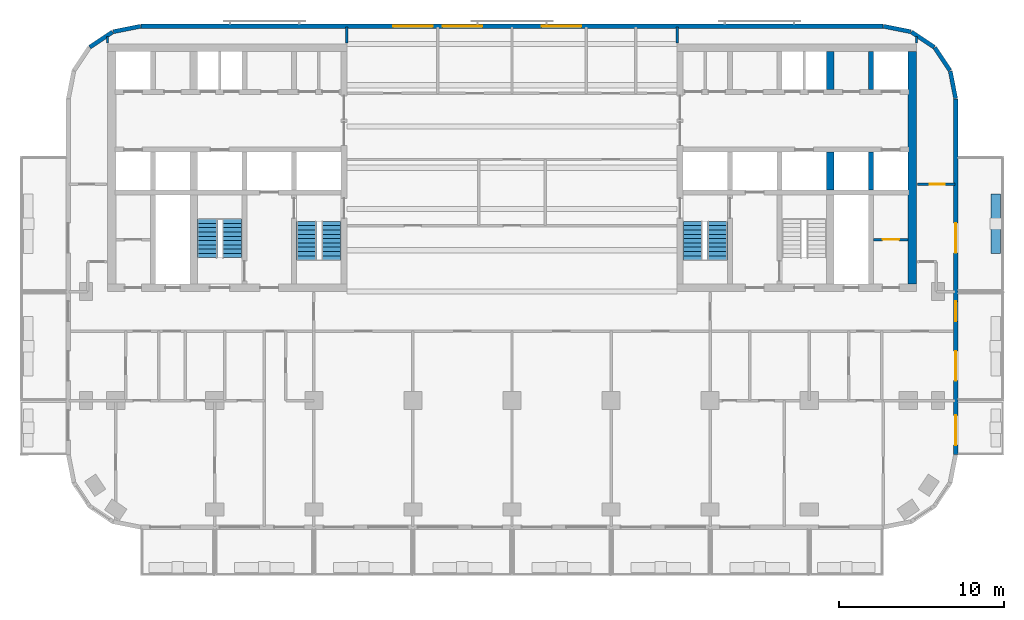
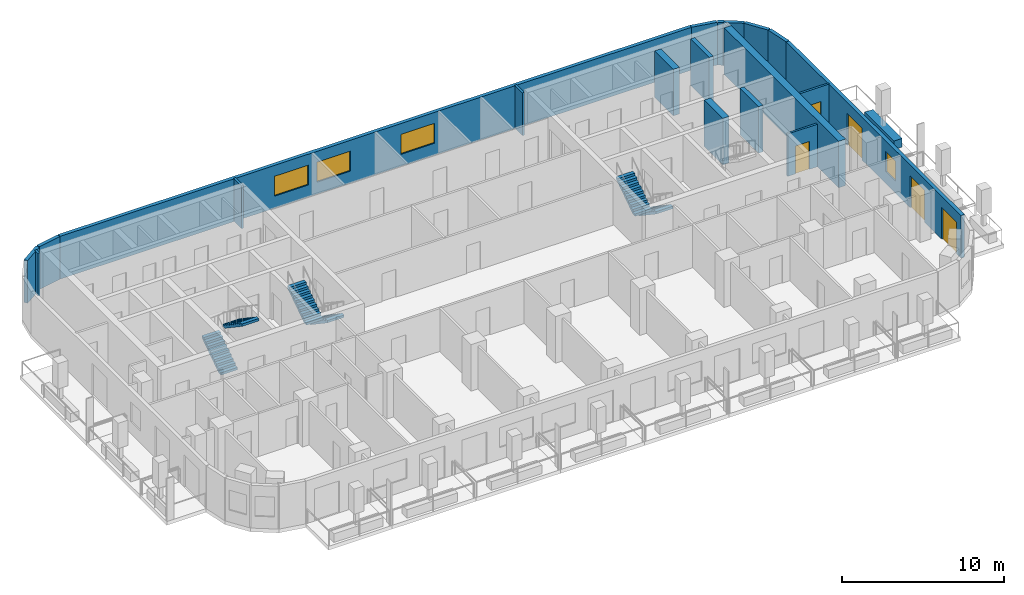
# One storey, part 7 of 11: 20 walls, 6 stair flights, 5 doors, 4 windows, 9 openings, 3 elements without a shape of their own.
"""IFC4 building model written with IfcOpenShell, lengths in metres."""

from ifc_helpers import new_model, si_unit, direction, frame, frame_2d, origin, place, context, subcontext, project, spatial, polyline, rectangle, outline, extrude, material, layer, layer_set, type_object, element, fill, aggregate, save


model = new_model("IFC4")

# Units and contexts
model_context = context("Model", 3, precision=1e-05, world=origin(), true_north=direction((0.0, 1.0)))
body_context = subcontext(model_context, "Body", "Model", "MODEL_VIEW")
ifc_project = project(units=[si_unit("LENGTHUNIT", "METRE"), si_unit("AREAUNIT", "SQUARE_METRE"), si_unit("VOLUMEUNIT", "CUBIC_METRE"), si_unit("PLANEANGLEUNIT", "RADIAN"), si_unit("MASSUNIT", "GRAM", prefix="KILO")], contexts=[model_context])

# Site, building, storey
site_placement = place(None, origin())
site = spatial("IfcSite", under=ifc_project, at=site_placement, CompositionType="ELEMENT")
building_placement = place(site_placement, origin())
building = spatial("IfcBuilding", under=site, at=building_placement, Name="Torana Hotel and Residences", CompositionType="ELEMENT")
storey_placement = place(building_placement, frame((0.0, 0.0, 239.60009765625)))
storey = spatial("IfcBuildingStorey", under=building, at=storey_placement, Name="L63", CompositionType="ELEMENT", Elevation=239.60009765625)

# Walls
ifc_material_1 = material(Name="Concrete C70/85", Category="concrete")
ifc_layer_1 = layer(ifc_material_1, 0.300048828125)
ifc_layer_set_1 = layer_set([ifc_layer_1], Name="CORE WALL 300 C70/85")
wall_type_1 = type_object("IfcWallType", Name="CORE WALL 300 C70/85", PredefinedType="SHEAR", material=ifc_layer_set_1)
for number, where, z_axis, x_axis, name in (
    (1, (21.75, -2.75, 0.0), (0.0, 0.0, 1.0), (0.0, 1.0, 0.0), "Core wall E mm-N"),
    (2, (21.75, -8.85009765625, 0.0), (0.0, 0.0, 1.0), (0.0, 1.0, 0.0), "Core wall E mm-S"),
):
    element("IfcWall", number, at=place(storey_placement, frame(where, z_axis=z_axis, x_axis=x_axis)), inside=storey, type_object=wall_type_1, Name=name, PredefinedType="SHEAR", context=body_context, shape_type="SweptSolid", body=[
        extrude(rectangle(XDim=2.300048828125, YDim=0.300048828125, at=frame_2d((1.14990234375, 0.0))), origin(), (0.0, 0.0, 1.0), 3.5),
    ])
ifc_material_2 = material(Name="Concrete C70/85", Category="concrete")
ifc_layer_2 = layer(ifc_material_2, 0.449951171875)
ifc_layer_set_2 = layer_set([ifc_layer_2], Name="CORE WALL 450 C70/85")
wall_type_2 = type_object("IfcWallType", Name="CORE WALL 450 C70/85", PredefinedType="SHEAR", material=ifc_layer_set_2)
for number, where, z_axis, x_axis, name in (
    (3, (19.27490234375, -2.75, 0.0), (0.0, 0.0, 1.0), (0.0, 1.0, 0.0), "Core wall E hm-N"),
    (4, (19.27490234375, -8.85009765625, 0.0), (0.0, 0.0, 1.0), (0.0, 1.0, 0.0), "Core wall E hm-S"),
):
    element("IfcWall", number, at=place(storey_placement, frame(where, z_axis=z_axis, x_axis=x_axis)), inside=storey, type_object=wall_type_2, Name=name, PredefinedType="SHEAR", context=body_context, shape_type="SweptSolid", body=[
        extrude(rectangle(XDim=2.300048828125, YDim=0.449951171875, at=frame_2d((1.14990234375, 0.0))), origin(), (0.0, 0.0, 1.0), 3.5),
    ])
ifc_material_3 = material(Name="Concrete C70/85", Category="concrete")
ifc_layer_3 = layer(ifc_material_3, 0.5)
ifc_layer_set_3 = layer_set([ifc_layer_3], Name="CORE WALL 500 C70/85")
wall_type_3 = type_object("IfcWallType", Name="CORE WALL 500 C70/85", PredefinedType="SHEAR", material=ifc_layer_set_3)
wall_1_placement = place(storey_placement, frame((24.25, -14.550048828125, 0.0), z_axis=(0.0, 0.0, 1.0), x_axis=(0.0, 1.0, 0.0)))
element("IfcWall", 5, at=wall_1_placement, inside=storey, type_object=wall_type_3, Name="Core wall E outer", PredefinedType="SHEAR", context=body_context, shape_type="SweptSolid", body=[
    extrude(rectangle(XDim=14.10009765625, YDim=0.5, at=frame_2d((7.050048828125, 0.0))), origin(), (0.0, 0.0, 1.0), 3.5),
])
ifc_material_4 = material(Name="Black aluminium composite panel", Category="aluminium")
ifc_layer_4 = layer(ifc_material_4, 0.00390625, Name="Cladding", Category="cladding")
ifc_material_5 = material(Name="Ventilated air cavity")
ifc_layer_5 = layer(ifc_material_5, 0.0400390625, Name="Ventilated cavity", Category="cavity")
ifc_material_6 = material(Name="Mineral wool insulation")
ifc_layer_6 = layer(ifc_material_6, 0.090087890625, Name="Insulation", Category="insulation")
ifc_material_7 = material(Name="Steel S280GD", Category="steel")
ifc_layer_7 = layer(ifc_material_7, 0.092041015625, Name="Steel stud frame", Category="structure")
ifc_material_8 = material(Name="Fire rated plasterboard")
ifc_layer_8 = layer(ifc_material_8, 0.011962890625, Name="Inner board", Category="finish")
ifc_layer_9 = layer(ifc_material_8, 0.011962890625, Name="Second board", Category="finish")
ifc_layer_set_4 = layer_set([ifc_layer_4, ifc_layer_5, ifc_layer_6, ifc_layer_7, ifc_layer_8, ifc_layer_9], Name="EW1 EXTERNAL WALL BLACK METAL CLAD 250")
wall_type_4 = type_object("IfcWallType", Name="EW1 EXTERNAL WALL BLACK METAL CLAD 250", PredefinedType="SOLIDWALL", material=ifc_layer_set_4)
wall_2_placement = place(storey_placement, frame((26.87255859375, -3.30029296875, 0.0), z_axis=(0.0, 0.0, 1.0), x_axis=(-0.194999110559, 0.980803419081, 0.0)))
element("IfcWall", 6, at=wall_2_placement, inside=storey, type_object=wall_type_4, Name="External wall L63 e0.0", PredefinedType="SOLIDWALL", context=body_context, shape_type="SweptSolid", body=[
    extrude(rectangle(XDim=1.681396484375, YDim=0.25, at=frame_2d((0.8408203125, 0.0))), origin(), (0.0, 0.0, 1.0), 3.219970703125),
])
for number, where, z_axis, x_axis, name in (
    (7, (26.52587890625, -1.60595703125, 0.0), (0.0, 0.0, 1.0), (-0.55555029066, 0.831482937015, 0.0), "External wall L63 e0.1"),
    (8, (25.5712890625, -0.1943359375, 0.0), (0.0, 0.0, 1.0), (-0.831482937015, 0.55555029066, 0.0), "External wall L63 e0.2"),
):
    element("IfcWall", number, at=place(storey_placement, frame(where, z_axis=z_axis, x_axis=x_axis)), inside=storey, type_object=wall_type_4, Name=name, PredefinedType="SOLIDWALL", context=body_context, shape_type="SweptSolid", body=[
        extrude(rectangle(XDim=1.65625, YDim=0.25, at=frame_2d((0.828125, 0.0))), origin(), (0.0, 0.0, 1.0), 3.219970703125),
    ])
for number, where, z_axis, x_axis, name in (
    (9, (24.14892578125, 0.74462890625, 0.0), (0.0, 0.0, 1.0), (-0.980803419081, 0.194999110559, 0.0), "External wall L63 e0.3"),
    (10, (-22.499755859375, 1.072509765625, 0.0), (0.0, 0.0, 1.0), (-0.980803419081, -0.194999110559, 0.0), "External wall L63 e0.5"),
):
    element("IfcWall", number, at=place(storey_placement, frame(where, z_axis=z_axis, x_axis=x_axis)), inside=storey, type_object=wall_type_4, Name=name, PredefinedType="SOLIDWALL", context=body_context, shape_type="SweptSolid", body=[
        extrude(rectangle(XDim=1.681396484375, YDim=0.25, at=frame_2d((0.8408203125, 0.0))), origin(), (0.0, 0.0, 1.0), 3.219970703125),
    ])
wall_3_placement = place(storey_placement, frame((-24.194091796875, 0.725830078125, 0.0), z_axis=(0.0, 0.0, 1.0), x_axis=(-0.831482937015, -0.55555029066, 0.0)))
element("IfcWall", 11, at=wall_3_placement, inside=storey, type_object=wall_type_4, Name="External wall L63 e0.6", PredefinedType="SOLIDWALL", context=body_context, shape_type="SweptSolid", body=[
    extrude(rectangle(XDim=1.65625, YDim=0.25, at=frame_2d((0.828125, 0.0))), origin(), (0.0, 0.0, 1.0), 3.219970703125),
])

# Wall, openings, doors, window
wall_4_placement = place(storey_placement, frame((26.875, -24.87548828125, 0.0), z_axis=(0.0, 0.0, 1.0), x_axis=(0.0, 1.0, 0.0)))
wall_4 = element("IfcWall", 12, at=wall_4_placement, inside=storey, type_object=wall_type_4, Name="External wall L63 e0.19", PredefinedType="SOLIDWALL", context=body_context, shape_type="SweptSolid", body=[
    extrude(rectangle(XDim=21.55078125, YDim=0.25, at=frame_2d((10.775390625, 0.0))), origin(), (0.0, 0.0, 1.0), 3.219970703125),
])
opening_1_placement = place(wall_4_placement, frame((0.575439453125, 0.0, 0.0)))
opening_1 = element("IfcOpeningElement", 13, at=opening_1_placement, cuts=wall_4, Name="Opening L63-E09", PredefinedType="OPENING", context=body_context, shape_type="SweptSolid", body=[
    extrude(rectangle(XDim=1.800048828125, YDim=2.39990234375, at=frame_2d((0.89990234375, 1.199951171875))), frame((0.0, 0.135009765625, 0.0), z_axis=(0.0, -1.0, 0.0), x_axis=(1.0, 0.0, 0.0)), (0.0, 0.0, 1.0), 0.27001953125),
])
opening_2_placement = place(wall_4_placement, frame((4.475341796875, 0.0, 0.0)))
opening_2 = element("IfcOpeningElement", 14, at=opening_2_placement, cuts=wall_4, Name="Opening L63-E10", PredefinedType="OPENING", context=body_context, shape_type="SweptSolid", body=[
    extrude(rectangle(XDim=1.800048828125, YDim=2.39990234375, at=frame_2d((0.89990234375, 1.199951171875))), frame((0.0, 0.135009765625, 0.0), z_axis=(0.0, -1.0, 0.0), x_axis=(1.0, 0.0, 0.0)), (0.0, 0.0, 1.0), 0.27001953125),
])
opening_3_placement = place(wall_4_placement, frame((8.075439453125, 0.0, 0.89990234375)))
opening_3 = element("IfcOpeningElement", 15, at=opening_3_placement, cuts=wall_4, Name="Opening W5", PredefinedType="OPENING", context=body_context, shape_type="SweptSolid", body=[
    extrude(rectangle(XDim=1.199951171875, YDim=1.5, at=frame_2d((0.60009765625, 0.75))), frame((0.0, 0.135009765625, 0.0), z_axis=(0.0, -1.0, 0.0), x_axis=(1.0, 0.0, 0.0)), (0.0, 0.0, 1.0), 0.27001953125),
])
opening_4_placement = place(wall_4_placement, frame((12.225341796875, 0.0, 0.0)))
opening_4 = element("IfcOpeningElement", 16, at=opening_4_placement, cuts=wall_4, Name="Opening L63-E11", PredefinedType="OPENING", context=body_context, shape_type="SweptSolid", body=[
    extrude(rectangle(XDim=1.800048828125, YDim=2.39990234375, at=frame_2d((0.89990234375, 1.199951171875))), frame((0.0, 0.135009765625, 0.0), z_axis=(0.0, -1.0, 0.0), x_axis=(1.0, 0.0, 0.0)), (0.0, 0.0, 1.0), 0.27001953125),
])
ifc_material_9 = material(Name="Dark glass in black aluminium frame", Category="aluminium")
door_type_1 = type_object("IfcDoorType", Name="DB1 BALCONY DOOR 1800x2400", OperationType="DOUBLE_DOOR_SINGLE_SWING", PredefinedType="DOOR", material=ifc_material_9)
door_1_placement = place(opening_1_placement, origin())
door_1 = element("IfcDoor", 17, at=door_1_placement, inside=storey, type_object=door_type_1, Name="Balcony door L63", OperationType="DOUBLE_DOOR_SINGLE_SWING", OverallHeight=2.39990234375, OverallWidth=1.800048828125, PredefinedType="DOOR", context=body_context, shape_type="SweptSolid", body=[
    extrude(rectangle(XDim=1.800048828125, YDim=2.39990234375, at=frame_2d((0.89990234375, 1.199951171875))), frame((0.0, 0.02490234375, 0.0), z_axis=(0.0, -1.0, 0.0), x_axis=(1.0, 0.0, 0.0)), (0.0, 0.0, 1.0), 0.050048828125),
])
fill(opening_1, door_1)
door_2_placement = place(opening_2_placement, origin())
door_2 = element("IfcDoor", 18, at=door_2_placement, inside=storey, type_object=door_type_1, Name="Balcony door L63", OperationType="DOUBLE_DOOR_SINGLE_SWING", OverallHeight=2.39990234375, OverallWidth=1.800048828125, PredefinedType="DOOR", context=body_context, shape_type="SweptSolid", body=[
    extrude(rectangle(XDim=1.800048828125, YDim=2.39990234375, at=frame_2d((0.89990234375, 1.199951171875))), frame((0.0, 0.02490234375, 0.0), z_axis=(0.0, -1.0, 0.0), x_axis=(1.0, 0.0, 0.0)), (0.0, 0.0, 1.0), 0.050048828125),
])
fill(opening_2, door_2)
door_3_placement = place(opening_4_placement, origin())
door_3 = element("IfcDoor", 19, at=door_3_placement, inside=storey, type_object=door_type_1, Name="Balcony door L63", OperationType="DOUBLE_DOOR_SINGLE_SWING", OverallHeight=2.39990234375, OverallWidth=1.800048828125, PredefinedType="DOOR", context=body_context, shape_type="SweptSolid", body=[
    extrude(rectangle(XDim=1.800048828125, YDim=2.39990234375, at=frame_2d((0.89990234375, 1.199951171875))), frame((0.0, 0.02490234375, 0.0), z_axis=(0.0, -1.0, 0.0), x_axis=(1.0, 0.0, 0.0)), (0.0, 0.0, 1.0), 0.050048828125),
])
fill(opening_4, door_3)
ifc_material_10 = material(Name="Dark glass in black aluminium frame", Category="aluminium")
window_type_1 = type_object("IfcWindowType", Name="W5 CORNER FACET WINDOW 1200x1500", PartitioningType="SINGLE_PANEL", PredefinedType="WINDOW", material=ifc_material_10)
window_1_placement = place(opening_3_placement, origin())
window_1 = element("IfcWindow", 20, at=window_1_placement, inside=storey, type_object=window_type_1, Name="Window L63", OverallHeight=1.5, OverallWidth=1.199951171875, PartitioningType="SINGLE_PANEL", PredefinedType="WINDOW", context=body_context, shape_type="SweptSolid", body=[
    extrude(rectangle(XDim=1.199951171875, YDim=1.5, at=frame_2d((0.60009765625, 0.75))), frame((0.0, 0.030029296875, 0.0), z_axis=(0.0, -1.0, 0.0), x_axis=(1.0, 0.0, 0.0)), (0.0, 0.0, 1.0), 0.06005859375),
])
fill(opening_3, window_1)

# Wall, openings, windows
ifc_material_11 = material(Name="Concrete C40/50 precast", Category="concrete")
ifc_layer_10 = layer(ifc_material_11, 0.10009765625, Name="Perforated block", Category="cladding")
ifc_material_12 = material(Name="Air cavity")
ifc_layer_11 = layer(ifc_material_12, 0.030029296875, Name="Cavity", Category="cavity")
ifc_material_13 = material(Name="Concrete C40/50", Category="concrete")
ifc_layer_12 = layer(ifc_material_13, 0.10009765625, Name="Wall", Category="structure")
ifc_material_14 = material(Name="Plaster and paint")
ifc_layer_13 = layer(ifc_material_14, 0.02001953125, Name="Inner finish", Category="finish")
ifc_layer_set_5 = layer_set([ifc_layer_10, ifc_layer_11, ifc_layer_12, ifc_layer_13], Name="EW2 PERFORATED BLOCK SCREEN WALL 250")
wall_type_5 = type_object("IfcWallType", Name="EW2 PERFORATED BLOCK SCREEN WALL 250", PredefinedType="SOLIDWALL", material=ifc_layer_set_5)
wall_5_placement = place(storey_placement, frame((22.475341796875, 1.074951171875, 0.0), z_axis=(0.0, 0.0, 1.0), x_axis=(-1.0, 0.0, 0.0)))
wall_5 = element("IfcWall", 21, at=wall_5_placement, inside=storey, type_object=wall_type_5, Name="External wall L63 e0.4", PredefinedType="SOLIDWALL", context=body_context, shape_type="SweptSolid", body=[
    extrude(rectangle(XDim=44.95068359375, YDim=0.25, at=frame_2d((22.475341796875, 0.0))), origin(), (0.0, 0.0, 1.0), 3.219970703125),
])
opening_5_placement = place(wall_5_placement, frame((18.275390625, 0.0, 0.89990234375)))
opening_5 = element("IfcOpeningElement", 22, at=opening_5_placement, cuts=wall_5, Name="Opening W3", PredefinedType="OPENING", context=body_context, shape_type="SweptSolid", body=[
    extrude(rectangle(XDim=2.39990234375, YDim=1.5, at=frame_2d((1.199951171875, 0.75))), frame((0.0, 0.135009765625, 0.0), z_axis=(0.0, -1.0, 0.0), x_axis=(1.0, 0.0, 0.0)), (0.0, 0.0, 1.0), 0.27001953125),
])
opening_6_placement = place(wall_5_placement, frame((24.275390625, 0.0, 0.89990234375)))
opening_6 = element("IfcOpeningElement", 23, at=opening_6_placement, cuts=wall_5, Name="Opening W3", PredefinedType="OPENING", context=body_context, shape_type="SweptSolid", body=[
    extrude(rectangle(XDim=2.39990234375, YDim=1.5, at=frame_2d((1.199951171875, 0.75))), frame((0.0, 0.135009765625, 0.0), z_axis=(0.0, -1.0, 0.0), x_axis=(1.0, 0.0, 0.0)), (0.0, 0.0, 1.0), 0.27001953125),
])
opening_7_placement = place(wall_5_placement, frame((27.275390625, 0.0, 0.89990234375)))
opening_7 = element("IfcOpeningElement", 24, at=opening_7_placement, cuts=wall_5, Name="Opening W3", PredefinedType="OPENING", context=body_context, shape_type="SweptSolid", body=[
    extrude(rectangle(XDim=2.39990234375, YDim=1.5, at=frame_2d((1.199951171875, 0.75))), frame((0.0, 0.135009765625, 0.0), z_axis=(0.0, -1.0, 0.0), x_axis=(1.0, 0.0, 0.0)), (0.0, 0.0, 1.0), 0.27001953125),
])
ifc_material_15 = material(Name="Dark glass in black aluminium frame", Category="aluminium")
window_type_2 = type_object("IfcWindowType", Name="W3 RESIDENCE WINDOW 2400x1500", PartitioningType="SINGLE_PANEL", PredefinedType="WINDOW", material=ifc_material_15)
window_2_placement = place(opening_5_placement, origin())
window_2 = element("IfcWindow", 25, at=window_2_placement, inside=storey, type_object=window_type_2, Name="Window L63", OverallHeight=1.5, OverallWidth=2.39990234375, PartitioningType="SINGLE_PANEL", PredefinedType="WINDOW", context=body_context, shape_type="SweptSolid", body=[
    extrude(rectangle(XDim=2.39990234375, YDim=1.5, at=frame_2d((1.199951171875, 0.75))), frame((0.0, 0.030029296875, 0.0), z_axis=(0.0, -1.0, 0.0), x_axis=(1.0, 0.0, 0.0)), (0.0, 0.0, 1.0), 0.06005859375),
])
fill(opening_5, window_2)
window_3_placement = place(opening_6_placement, origin())
window_3 = element("IfcWindow", 26, at=window_3_placement, inside=storey, type_object=window_type_2, Name="Window L63", OverallHeight=1.5, OverallWidth=2.39990234375, PartitioningType="SINGLE_PANEL", PredefinedType="WINDOW", context=body_context, shape_type="SweptSolid", body=[
    extrude(rectangle(XDim=2.39990234375, YDim=1.5, at=frame_2d((1.199951171875, 0.75))), frame((0.0, 0.030029296875, 0.0), z_axis=(0.0, -1.0, 0.0), x_axis=(1.0, 0.0, 0.0)), (0.0, 0.0, 1.0), 0.06005859375),
])
fill(opening_6, window_3)
window_4_placement = place(opening_7_placement, origin())
window_4 = element("IfcWindow", 27, at=window_4_placement, inside=storey, type_object=window_type_2, Name="Window L63", OverallHeight=1.5, OverallWidth=2.39990234375, PartitioningType="SINGLE_PANEL", PredefinedType="WINDOW", context=body_context, shape_type="SweptSolid", body=[
    extrude(rectangle(XDim=2.39990234375, YDim=1.5, at=frame_2d((1.199951171875, 0.75))), frame((0.0, 0.030029296875, 0.0), z_axis=(0.0, -1.0, 0.0), x_axis=(1.0, 0.0, 0.0)), (0.0, 0.0, 1.0), 0.06005859375),
])
fill(opening_7, window_4)

# Wall, opening, door
ifc_material_16 = material(Name="Gypsum plaster")
ifc_layer_14 = layer(ifc_material_16, 0.014892578125, Name="Plaster", Category="finish")
ifc_material_17 = material(Name="Concrete blockwork", Category="masonry")
ifc_layer_15 = layer(ifc_material_17, 0.1201171875, Name="Blockwork", Category="structure")
ifc_layer_16 = layer(ifc_material_16, 0.014892578125, Name="Plaster", Category="finish")
ifc_layer_set_6 = layer_set([ifc_layer_14, ifc_layer_15, ifc_layer_16], Name="FIRE PARTITION 150 BLOCKWORK")
wall_type_6 = type_object("IfcWallType", Name="FIRE PARTITION 150 BLOCKWORK", PredefinedType="PARTITIONING", material=ifc_layer_set_6)
wall_6_placement = place(storey_placement, frame((21.89990234375, -11.85009765625, 0.0), z_axis=(0.0, 0.0, 1.0), x_axis=(1.0, 0.0, 0.0)))
wall_6 = element("IfcWall", 28, at=wall_6_placement, inside=storey, type_object=wall_type_6, Name="Core partition L63", PredefinedType="PARTITIONING", context=body_context, shape_type="SweptSolid", body=[
    extrude(rectangle(XDim=2.10009765625, YDim=0.14990234375, at=frame_2d((1.050048828125, 0.0))), origin(), (0.0, 0.0, 1.0), 3.199951171875),
])
opening_8_placement = place(wall_6_placement, frame((0.550048828125, 0.0, 0.0)))
opening_8 = element("IfcOpeningElement", 29, at=opening_8_placement, cuts=wall_6, Name="Opening L63-32", PredefinedType="OPENING", context=body_context, shape_type="SweptSolid", body=[
    extrude(rectangle(XDim=1.0, YDim=2.10009765625, at=frame_2d((0.5, 1.050048828125))), frame((0.0, 0.0849609375, 0.0), z_axis=(0.0, -1.0, 0.0), x_axis=(1.0, 0.0, 0.0)), (0.0, 0.0, 1.0), 0.169921875),
])
ifc_material_18 = material(Name="Steel S235", Category="steel")
door_type_2 = type_object("IfcDoorType", Name="CORE ROOM FIRE DOOR D14 1000x2100", OperationType="SINGLE_SWING_LEFT", PredefinedType="DOOR", material=ifc_material_18)
door_4_placement = place(opening_8_placement, origin())
door_4 = element("IfcDoor", 30, at=door_4_placement, inside=storey, type_object=door_type_2, Name="Plant room door L63", OperationType="SINGLE_SWING_RIGHT", OverallHeight=2.10009765625, OverallWidth=1.0, PredefinedType="DOOR", context=body_context, shape_type="SweptSolid", body=[
    extrude(rectangle(XDim=1.0, YDim=2.10009765625, at=frame_2d((0.5, 1.050048828125))), frame((0.0, 0.02490234375, 0.0), z_axis=(0.0, -1.0, 0.0), x_axis=(1.0, 0.0, 0.0)), (0.0, 0.0, 1.0), 0.050048828125),
])
fill(opening_8, door_4)

# Walls
ifc_material_19 = material(Name="Gypsum plasterboard")
ifc_layer_17 = layer(ifc_material_19, 0.012451171875, Name="Plasterboard", Category="finish")
ifc_layer_18 = layer(ifc_material_19, 0.012451171875, Name="Plasterboard", Category="finish")
ifc_layer_19 = layer(ifc_material_7, 0.10009765625, Name="Steel studs with mineral wool", Category="insulation")
ifc_layer_20 = layer(ifc_material_19, 0.012451171875, Name="Plasterboard", Category="finish")
ifc_layer_21 = layer(ifc_material_19, 0.012451171875, Name="Plasterboard", Category="finish")
ifc_layer_set_7 = layer_set([ifc_layer_17, ifc_layer_18, ifc_layer_19, ifc_layer_20, ifc_layer_21], Name="PARTITION 150 PLASTERBOARD")
wall_type_7 = type_object("IfcWallType", Name="PARTITION 150 PLASTERBOARD", PredefinedType="PARTITIONING", material=ifc_layer_set_7)
wall_7_placement = place(storey_placement, frame((24.5, 0.050048828125, 0.0), z_axis=(0.0, 0.0, 1.0), x_axis=(0.0, 1.0, 0.0)))
element("IfcWall", 31, at=wall_7_placement, inside=storey, type_object=wall_type_7, Name="Partition L63", PredefinedType="PARTITIONING", context=body_context, shape_type="SweptSolid", body=[
    extrude(rectangle(XDim=0.4052734375, YDim=0.14990234375, at=frame_2d((0.20263671875, 0.0))), origin(), (0.0, 0.0, 1.0), 3.219970703125),
])
wall_8_placement = place(storey_placement, frame((-10.0, 0.050048828125, 0.0), z_axis=(0.0, 0.0, 1.0), x_axis=(0.0, 1.0, 0.0)))
element("IfcWall", 32, at=wall_8_placement, inside=storey, type_object=wall_type_7, Name="Partition L63", PredefinedType="PARTITIONING", context=body_context, shape_type="SweptSolid", body=[
    extrude(rectangle(XDim=0.969970703125, YDim=0.14990234375, at=frame_2d((0.48486328125, 0.0))), origin(), (0.0, 0.0, 1.0), 3.219970703125),
])
wall_9_placement = place(storey_placement, frame((-24.5, 0.050048828125, 0.0), z_axis=(0.0, 0.0, 1.0), x_axis=(0.0, 1.0, 0.0)))
element("IfcWall", 33, at=wall_9_placement, inside=storey, type_object=wall_type_7, Name="Partition L63", PredefinedType="PARTITIONING", context=body_context, shape_type="SweptSolid", body=[
    extrude(rectangle(XDim=0.4052734375, YDim=0.14990234375, at=frame_2d((0.20263671875, 0.0))), origin(), (0.0, 0.0, 1.0), 3.219970703125),
])
ifc_layer_22 = layer(ifc_material_11, 0.10009765625, Name="Planter shell", Category="structure")
ifc_material_20 = material(Name="Root resistant membrane")
ifc_layer_23 = layer(ifc_material_20, 0.00390625, Name="Waterproofing membrane", Category="membrane")
ifc_material_21 = material(Name="Drainage board with filter fleece")
ifc_layer_24 = layer(ifc_material_21, 0.02001953125, Name="Drainage board", Category="drainage")
ifc_material_22 = material(Name="Growing medium")
ifc_layer_25 = layer(ifc_material_22, 0.47607421875, Name="Planting substrate", Category="soil")
ifc_layer_set_8 = layer_set([ifc_layer_22, ifc_layer_23, ifc_layer_24, ifc_layer_25], Name="PL1 BALCONY PLANTER 600")
wall_type_8 = type_object("IfcWallType", Name="PL1 BALCONY PLANTER 600", PredefinedType="USERDEFINED", material=ifc_layer_set_8)
wall_10_placement = place(storey_placement, frame((29.300048828125, -9.10009765625, 0.0), z_axis=(0.0, 0.0, 1.0), x_axis=(0.0, -1.0, 0.0)))
element("IfcWall", 34, at=wall_10_placement, inside=storey, type_object=wall_type_8, Name="Planter 14", ObjectType="PLANTER", PredefinedType="USERDEFINED", context=body_context, shape_type="SweptSolid", body=[
    extrude(rectangle(XDim=3.599853515625, YDim=0.60009765625, at=frame_2d((1.7998046875, 0.0))), origin(), (0.0, 0.0, 1.0), 0.64990234375),
])
ifc_material_23 = material(Name="Ceramic tile on adhesive")
ifc_layer_26 = layer(ifc_material_23, 0.010009765625, Name="Wall tile", Category="finish")
ifc_material_24 = material(Name="Cement render")
ifc_layer_27 = layer(ifc_material_24, 0.010009765625, Name="Render", Category="finish")
ifc_layer_28 = layer(ifc_material_17, 0.110107421875, Name="Blockwork", Category="structure")
ifc_layer_29 = layer(ifc_material_24, 0.010009765625, Name="Render", Category="finish")
ifc_layer_30 = layer(ifc_material_23, 0.010009765625, Name="Wall tile", Category="finish")
ifc_layer_set_9 = layer_set([ifc_layer_26, ifc_layer_27, ifc_layer_28, ifc_layer_29, ifc_layer_30], Name="WC PARTITION 150")
wall_type_9 = type_object("IfcWallType", Name="WC PARTITION 150", PredefinedType="PLUMBINGWALL", material=ifc_layer_set_9)
wall_11_placement = place(storey_placement, frame((10.0, 0.050048828125, 0.0), z_axis=(0.0, 0.0, 1.0), x_axis=(0.0, 1.0, 0.0)))
element("IfcWall", 35, at=wall_11_placement, inside=storey, type_object=wall_type_9, Name="Partition L63", PredefinedType="PLUMBINGWALL", context=body_context, shape_type="SweptSolid", body=[
    extrude(rectangle(XDim=0.969970703125, YDim=0.14990234375, at=frame_2d((0.48486328125, 0.0))), origin(), (0.0, 0.0, 1.0), 3.219970703125),
])

# Wall, opening, door
wall_12_placement = place(storey_placement, frame((24.550048828125, -8.5, 0.0), z_axis=(0.0, 0.0, 1.0), x_axis=(1.0, 0.0, 0.0)))
wall_12 = element("IfcWall", 36, at=wall_12_placement, inside=storey, type_object=wall_type_9, Name="Partition L63", PredefinedType="PLUMBINGWALL", context=body_context, shape_type="SweptSolid", body=[
    extrude(rectangle(XDim=2.27001953125, YDim=0.14990234375, at=frame_2d((1.135009765625, 0.0))), origin(), (0.0, 0.0, 1.0), 3.219970703125),
])
opening_9_placement = place(wall_12_placement, frame((0.75, 0.0, 0.0)))
opening_9 = element("IfcOpeningElement", 37, at=opening_9_placement, cuts=wall_12, Name="Opening L63-69", PredefinedType="OPENING", context=body_context, shape_type="SweptSolid", body=[
    extrude(rectangle(XDim=0.89990234375, YDim=2.10009765625, at=frame_2d((0.449951171875, 1.050048828125))), frame((0.0, 0.0849609375, 0.0), z_axis=(0.0, -1.0, 0.0), x_axis=(1.0, 0.0, 0.0)), (0.0, 0.0, 1.0), 0.169921875),
])
ifc_material_25 = material(Name="Timber door, oiled ash", Category="wood")
door_type_3 = type_object("IfcDoorType", Name="ROOM DOOR D7 900x2100", OperationType="SINGLE_SWING_LEFT", PredefinedType="DOOR", material=ifc_material_25)
door_5_placement = place(opening_9_placement, origin())
door_5 = element("IfcDoor", 38, at=door_5_placement, inside=storey, type_object=door_type_3, Name="Door L63", OperationType="SINGLE_SWING_LEFT", OverallHeight=2.10009765625, OverallWidth=0.89990234375, PredefinedType="DOOR", context=body_context, shape_type="SweptSolid", body=[
    extrude(rectangle(XDim=0.89990234375, YDim=2.10009765625, at=frame_2d((0.449951171875, 1.050048828125))), frame((0.0, 0.02490234375, 0.0), z_axis=(0.0, -1.0, 0.0), x_axis=(1.0, 0.0, 0.0)), (0.0, 0.0, 1.0), 0.050048828125),
])
fill(opening_9, door_5)

# Stair, stair flights
ifc_material_26 = material(Name="Concrete C40/50 precast", Category="concrete")
stair_type_1 = type_object("IfcStairType", Name="STAIR ST1 HALF TURN 1200", PredefinedType="HALF_TURN_STAIR", material=ifc_material_26)
stair_1_placement = place(storey_placement, origin())
stair_1 = element("IfcStair", 39, at=stair_1_placement, inside=storey, type_object=stair_type_1, Name="Stair ST1 L63", PredefinedType="HALF_TURN_STAIR")
ifc_material_27 = material(Name="Concrete C40/50 precast", Category="concrete")
stair_flight_type = type_object("IfcStairFlightType", Name="STAIR FLIGHT 1200 PRECAST", PredefinedType="STRAIGHT", material=ifc_material_27)
stair_flight_1_placement = place(storey_placement, frame((-10.949951171875, -10.75, 0.0), z_axis=(0.0, 0.0, 1.0), x_axis=(0.0, -1.0, 0.0)))
stair_flight_1 = element("IfcStairFlight", 40, at=stair_flight_1_placement, type_object=stair_flight_type, Name="ST1 flight 1", NumberOfRisers=10, NumberOfTreads=9, PredefinedType="STRAIGHT", RiserHeight=0.175, TreadLength=0.26, context=body_context, shape_type="SweptSolid", body=[
    extrude(outline(polyline([(0.0, 0.0), (0.0, 0.175048828125), (0.260009765625, 0.175048828125), (0.260009765625, 0.35009765625), (0.52001953125, 0.35009765625), (0.52001953125, 0.52490234375), (0.780029296875, 0.52490234375), (0.780029296875, 0.699951171875), (1.0400390625, 0.699951171875), (1.0400390625, 0.875), (1.300048828125, 0.875), (1.300048828125, 1.050048828125), (1.56005859375, 1.050048828125), (1.56005859375, 1.22509765625), (1.820068359375, 1.22509765625), (1.820068359375, 1.39990234375), (2.080078125, 1.39990234375), (2.080078125, 1.574951171875), (2.340087890625, 1.574951171875), (2.340087890625, 1.75), (2.340087890625, 1.394287109375), (0.2685546875, 0.0), (0.0, 0.0)])), frame((0.0, 0.60009765625, 0.0), z_axis=(0.0, -1.0, 0.0), x_axis=(1.0, 0.0, 0.0)), (0.0, 0.0, 1.0), 1.199951171875),
])
stair_flight_2_placement = place(storey_placement, frame((-12.449951171875, -13.090087890625, 1.75), z_axis=(0.0, 0.0, 1.0), x_axis=(0.0, 1.0, 0.0)))
stair_flight_2 = element("IfcStairFlight", 41, at=stair_flight_2_placement, type_object=stair_flight_type, Name="ST1 flight 2", NumberOfRisers=10, NumberOfTreads=9, PredefinedType="STRAIGHT", RiserHeight=0.175, TreadLength=0.26, context=body_context, shape_type="SweptSolid", body=[
    extrude(outline(polyline([(0.0, 0.0), (0.0, 0.175048828125), (0.260009765625, 0.175048828125), (0.260009765625, 0.35009765625), (0.52001953125, 0.35009765625), (0.52001953125, 0.52490234375), (0.780029296875, 0.52490234375), (0.780029296875, 0.699951171875), (1.0400390625, 0.699951171875), (1.0400390625, 0.875), (1.300048828125, 0.875), (1.300048828125, 1.050048828125), (1.56005859375, 1.050048828125), (1.56005859375, 1.22509765625), (1.820068359375, 1.22509765625), (1.820068359375, 1.39990234375), (2.080078125, 1.39990234375), (2.080078125, 1.574951171875), (2.340087890625, 1.574951171875), (2.340087890625, 1.75), (2.340087890625, 1.394287109375), (0.2685546875, 0.0), (0.0, 0.0)])), frame((0.0, 0.60009765625, 0.0), z_axis=(0.0, -1.0, 0.0), x_axis=(1.0, 0.0, 0.0)), (0.0, 0.0, 1.0), 1.199951171875),
])
aggregate(stair_1, [stair_flight_1, stair_flight_2])

ifc_material_28 = material(Name="Concrete C40/50 precast", Category="concrete")
stair_type_2 = type_object("IfcStairType", Name="STAIR ST2 HALF TURN 1200", PredefinedType="HALF_TURN_STAIR", material=ifc_material_28)
stair_2_placement = place(storey_placement, origin())
stair_2 = element("IfcStair", 42, at=stair_2_placement, inside=storey, type_object=stair_type_2, Name="Stair ST2 L63", PredefinedType="HALF_TURN_STAIR")
stair_flight_3_placement = place(storey_placement, frame((-18.449951171875, -12.949951171875, 0.0), z_axis=(0.0, 0.0, 1.0), x_axis=(0.0, 1.0, 0.0)))
stair_flight_3 = element("IfcStairFlight", 43, at=stair_flight_3_placement, type_object=stair_flight_type, Name="ST2 flight 1", NumberOfRisers=10, NumberOfTreads=9, PredefinedType="STRAIGHT", RiserHeight=0.175, TreadLength=0.26, context=body_context, shape_type="SweptSolid", body=[
    extrude(outline(polyline([(0.0, 0.0), (0.0, 0.175048828125), (0.260009765625, 0.175048828125), (0.260009765625, 0.35009765625), (0.52001953125, 0.35009765625), (0.52001953125, 0.52490234375), (0.780029296875, 0.52490234375), (0.780029296875, 0.699951171875), (1.0400390625, 0.699951171875), (1.0400390625, 0.875), (1.300048828125, 0.875), (1.300048828125, 1.050048828125), (1.56005859375, 1.050048828125), (1.56005859375, 1.22509765625), (1.820068359375, 1.22509765625), (1.820068359375, 1.39990234375), (2.080078125, 1.39990234375), (2.080078125, 1.574951171875), (2.340087890625, 1.574951171875), (2.340087890625, 1.75), (2.340087890625, 1.394287109375), (0.2685546875, 0.0), (0.0, 0.0)])), frame((0.0, 0.60009765625, 0.0), z_axis=(0.0, -1.0, 0.0), x_axis=(1.0, 0.0, 0.0)), (0.0, 0.0, 1.0), 1.199951171875),
])
stair_flight_4_placement = place(storey_placement, frame((-16.949951171875, -10.610107421875, 1.75), z_axis=(0.0, 0.0, 1.0), x_axis=(0.0, -1.0, 0.0)))
stair_flight_4 = element("IfcStairFlight", 44, at=stair_flight_4_placement, type_object=stair_flight_type, Name="ST2 flight 2", NumberOfRisers=10, NumberOfTreads=9, PredefinedType="STRAIGHT", RiserHeight=0.175, TreadLength=0.26, context=body_context, shape_type="SweptSolid", body=[
    extrude(outline(polyline([(0.0, 0.0), (0.0, 0.175048828125), (0.260009765625, 0.175048828125), (0.260009765625, 0.35009765625), (0.52001953125, 0.35009765625), (0.52001953125, 0.52490234375), (0.780029296875, 0.52490234375), (0.780029296875, 0.699951171875), (1.0400390625, 0.699951171875), (1.0400390625, 0.875), (1.300048828125, 0.875), (1.300048828125, 1.050048828125), (1.56005859375, 1.050048828125), (1.56005859375, 1.22509765625), (1.820068359375, 1.22509765625), (1.820068359375, 1.39990234375), (2.080078125, 1.39990234375), (2.080078125, 1.574951171875), (2.340087890625, 1.574951171875), (2.340087890625, 1.75), (2.340087890625, 1.394287109375), (0.2685546875, 0.0), (0.0, 0.0)])), frame((0.0, 0.60009765625, 0.0), z_axis=(0.0, -1.0, 0.0), x_axis=(1.0, 0.0, 0.0)), (0.0, 0.0, 1.0), 1.199951171875),
])
aggregate(stair_2, [stair_flight_3, stair_flight_4])

ifc_material_29 = material(Name="Concrete C40/50 precast", Category="concrete")
stair_type_3 = type_object("IfcStairType", Name="STAIR ST3 HALF TURN 1200", PredefinedType="HALF_TURN_STAIR", material=ifc_material_29)
stair_3_placement = place(storey_placement, origin())
stair_3 = element("IfcStair", 45, at=stair_3_placement, inside=storey, type_object=stair_type_3, Name="Stair ST3 L63", PredefinedType="HALF_TURN_STAIR")
stair_flight_5_placement = place(storey_placement, frame((12.449951171875, -10.75, 0.0), z_axis=(0.0, 0.0, 1.0), x_axis=(0.0, -1.0, 0.0)))
stair_flight_5 = element("IfcStairFlight", 46, at=stair_flight_5_placement, type_object=stair_flight_type, Name="ST3 flight 1", NumberOfRisers=10, NumberOfTreads=9, PredefinedType="STRAIGHT", RiserHeight=0.175, TreadLength=0.26, context=body_context, shape_type="SweptSolid", body=[
    extrude(outline(polyline([(0.0, 0.0), (0.0, 0.175048828125), (0.260009765625, 0.175048828125), (0.260009765625, 0.35009765625), (0.52001953125, 0.35009765625), (0.52001953125, 0.52490234375), (0.780029296875, 0.52490234375), (0.780029296875, 0.699951171875), (1.0400390625, 0.699951171875), (1.0400390625, 0.875), (1.300048828125, 0.875), (1.300048828125, 1.050048828125), (1.56005859375, 1.050048828125), (1.56005859375, 1.22509765625), (1.820068359375, 1.22509765625), (1.820068359375, 1.39990234375), (2.080078125, 1.39990234375), (2.080078125, 1.574951171875), (2.340087890625, 1.574951171875), (2.340087890625, 1.75), (2.340087890625, 1.394287109375), (0.2685546875, 0.0), (0.0, 0.0)])), frame((0.0, 0.60009765625, 0.0), z_axis=(0.0, -1.0, 0.0), x_axis=(1.0, 0.0, 0.0)), (0.0, 0.0, 1.0), 1.199951171875),
])
stair_flight_6_placement = place(storey_placement, frame((10.949951171875, -13.090087890625, 1.75), z_axis=(0.0, 0.0, 1.0), x_axis=(0.0, 1.0, 0.0)))
stair_flight_6 = element("IfcStairFlight", 47, at=stair_flight_6_placement, type_object=stair_flight_type, Name="ST3 flight 2", NumberOfRisers=10, NumberOfTreads=9, PredefinedType="STRAIGHT", RiserHeight=0.175, TreadLength=0.26, context=body_context, shape_type="SweptSolid", body=[
    extrude(outline(polyline([(0.0, 0.0), (0.0, 0.175048828125), (0.260009765625, 0.175048828125), (0.260009765625, 0.35009765625), (0.52001953125, 0.35009765625), (0.52001953125, 0.52490234375), (0.780029296875, 0.52490234375), (0.780029296875, 0.699951171875), (1.0400390625, 0.699951171875), (1.0400390625, 0.875), (1.300048828125, 0.875), (1.300048828125, 1.050048828125), (1.56005859375, 1.050048828125), (1.56005859375, 1.22509765625), (1.820068359375, 1.22509765625), (1.820068359375, 1.39990234375), (2.080078125, 1.39990234375), (2.080078125, 1.574951171875), (2.340087890625, 1.574951171875), (2.340087890625, 1.75), (2.340087890625, 1.394287109375), (0.2685546875, 0.0), (0.0, 0.0)])), frame((0.0, 0.60009765625, 0.0), z_axis=(0.0, -1.0, 0.0), x_axis=(1.0, 0.0, 0.0)), (0.0, 0.0, 1.0), 1.199951171875),
])
aggregate(stair_3, [stair_flight_5, stair_flight_6])

save(model, "model.ifc")
